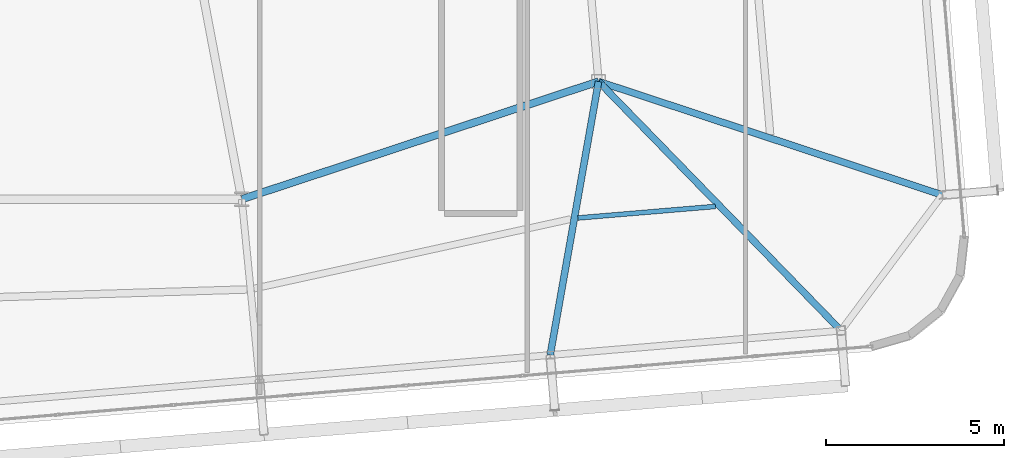
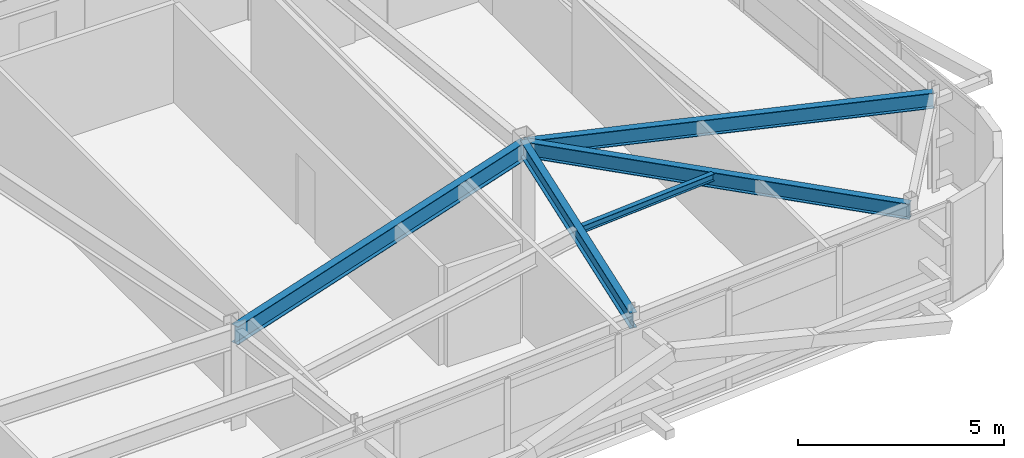
# One storey, part 21 of 46: 5 beams.
"""IFC4 building model written with IfcOpenShell, lengths in metres."""

import ifcopenshell
import ifcopenshell.guid

model = None  # the IFC model being written
_history = None  # IfcOwnerHistory: only IFC2X3 demands one
_inside = {}  # id of a spatial element -> (the spatial element, [elements in it])
_under = {}  # id of a project, library or spatial element -> (it, [spatial elements below it])
_declared = {}  # id of a project -> (the project, [libraries it declares])
_typed = {}  # id of a type object -> (the type object, [elements of that type])
_made_of = {}  # id of a material, layer set ... -> (it, [elements and type objects made of it])


def new_model(schema):
    """Start an empty IFC model of exactly this schema.

    Asked for "IFC4X3", IfcOpenShell would pick the latest addendum, in which some entities
    have other attributes; the version numbers below select the first issue.
    IFC2X3 requires an IfcOwnerHistory on every rooted entity: one is made here for all.
    """
    global model, _history
    if schema == "IFC4X3":
        model = ifcopenshell.file(schema_version=(4, 3, 0, 0))
    else:
        model = ifcopenshell.file(schema=schema)
    _inside.clear()
    _under.clear()
    _declared.clear()
    _typed.clear()
    _made_of.clear()
    _history = None
    if model.schema == "IFC2X3":
        org = make("IfcOrganization", Name="unknown")
        user = make(
            "IfcPersonAndOrganization",
            ThePerson=make("IfcPerson", FamilyName="unknown"),
            TheOrganization=org,
        )
        app = make(
            "IfcApplication",
            ApplicationDeveloper=org,
            Version="unknown",
            ApplicationFullName="unknown",
            ApplicationIdentifier="unknown",
        )
        _history = make(
            "IfcOwnerHistory",
            OwningUser=user,
            OwningApplication=app,
            ChangeAction="ADDED",
            CreationDate=0,
        )
    return model


def make(cls, **values):
    """One entity of the class cls with the attributes given. An attribute that is None is left unset."""
    return model.create_entity(
        cls, **{name: value for name, value in values.items() if value is not None}
    )


def rooted(cls, **values):
    """An entity with a GlobalId (a new one), such as an element, a storey or a relation."""
    return make(cls, GlobalId=ifcopenshell.guid.new(), OwnerHistory=_history, **values)


def si_unit(unit_type, name, prefix=None):
    """IfcSIUnit, for example si_unit("LENGTHUNIT", "METRE", prefix="MILLI")."""
    return make("IfcSIUnit", UnitType=unit_type, Prefix=prefix, Name=name)


def assignment(units):
    """IfcUnitAssignment: the units of a project."""
    return None if units is None else make("IfcUnitAssignment", Units=units)


def point(xyz):
    """IfcCartesianPoint."""
    return None if xyz is None else make("IfcCartesianPoint", Coordinates=xyz)


def direction(xyz):
    """IfcDirection."""
    return None if xyz is None else make("IfcDirection", DirectionRatios=xyz)


def frame(location, z_axis=None, x_axis=None):
    """IfcAxis2Placement3D, a coordinate frame: its origin and axes. An axis left out is left unset."""
    return make(
        "IfcAxis2Placement3D",
        Location=point(location),
        Axis=direction(z_axis),
        RefDirection=direction(x_axis),
    )


def frame_2d(location, x_axis=None):
    """IfcAxis2Placement2D, a coordinate frame in the plane: its origin and x axis."""
    return make(
        "IfcAxis2Placement2D", Location=point(location), RefDirection=direction(x_axis)
    )


def origin():
    """The frame at (0, 0, 0) with its axes left unset."""
    return frame((0.0, 0.0, 0.0))


def origin_2d():
    """The frame at (0, 0) in the plane with its x axis left unset."""
    return frame_2d((0.0, 0.0))


def place(relative_to, where):
    """IfcLocalPlacement: puts the frame where relative to a parent placement (None: the world)."""
    return make(
        "IfcLocalPlacement", PlacementRelTo=relative_to, RelativePlacement=where
    )


def context(
    kind, dimensions, precision=None, world=None, true_north=None, identifier=None
):
    """IfcGeometricRepresentationContext, for example the 3D "Model" context."""
    return make(
        "IfcGeometricRepresentationContext",
        ContextIdentifier=identifier,
        ContextType=kind,
        CoordinateSpaceDimension=dimensions,
        Precision=precision,
        WorldCoordinateSystem=world,
        TrueNorth=true_north,
    )


def subcontext(parent, identifier, kind, view, scale=None):
    """IfcGeometricRepresentationSubContext, for example "Body" below "Model"."""
    return make(
        "IfcGeometricRepresentationSubContext",
        ContextIdentifier=identifier,
        ContextType=kind,
        ParentContext=parent,
        TargetScale=scale,
        TargetView=view,
    )


def project(units=None, contexts=None):
    """IfcProject with its units and contexts."""
    return rooted(
        "IfcProject",
        Name="project",
        RepresentationContexts=contexts,
        UnitsInContext=assignment(units),
    )


def spatial(cls, under=None, at=None, **own):
    """A site, building, storey or space (cls), placed at a placement, below another one or the project."""
    s = rooted(cls, ObjectPlacement=at, **own)
    if under is not None:
        _under.setdefault(under.id(), (under, []))[1].append(s)
    return s


def profile(cls, at=None, kind="AREA", **sizes):
    """A parametric profile (cls). Its sizes go by their IFC names, for example OverallWidth=200.0."""
    return make(cls, ProfileType=kind, Position=at, **sizes)


def i_section(**sizes):
    """IfcIShapeProfileDef."""
    return profile("IfcIShapeProfileDef", **sizes)


def extrude(swept, where, along, depth):
    """IfcExtrudedAreaSolid: the profile swept, set in the frame where, extruded along a direction by depth."""
    return make(
        "IfcExtrudedAreaSolid",
        SweptArea=swept,
        Position=where,
        ExtrudedDirection=direction(along),
        Depth=depth,
    )


def shape(context_of_items, identifier, shape_type, items):
    """IfcShapeRepresentation: the items that make up one representation, for example the "Body"."""
    return make(
        "IfcShapeRepresentation",
        ContextOfItems=context_of_items,
        RepresentationIdentifier=identifier,
        RepresentationType=shape_type,
        Items=items,
    )


def source(mapping_origin, context_of_items, identifier, shape_type, items):
    """IfcRepresentationMap: a shape defined once, which mapped items show again and again."""
    return make(
        "IfcRepresentationMap",
        MappingOrigin=mapping_origin,
        MappedRepresentation=shape(context_of_items, identifier, shape_type, items),
    )


def transform(
    local_origin,
    x_axis=None,
    y_axis=None,
    z_axis=None,
    scale=None,
    scale2=None,
    scale3=None,
    uniform=True,
):
    """IfcCartesianTransformationOperator3D, or its non-uniform kind. x_axis, y_axis, z_axis: its Axis1, 2, 3."""
    if uniform:
        return make(
            "IfcCartesianTransformationOperator3D",
            Axis1=direction(x_axis),
            Axis2=direction(y_axis),
            LocalOrigin=point(local_origin),
            Scale=scale,
            Axis3=direction(z_axis),
        )
    return make(
        "IfcCartesianTransformationOperator3DnonUniform",
        Axis1=direction(x_axis),
        Axis2=direction(y_axis),
        LocalOrigin=point(local_origin),
        Scale=scale,
        Axis3=direction(z_axis),
        Scale2=scale2,
        Scale3=scale3,
    )


def mapped(mapping_source, mapping_target):
    """IfcMappedItem: shows the shape of a source again, moved by a transform."""
    return make(
        "IfcMappedItem", MappingSource=mapping_source, MappingTarget=mapping_target
    )


def material(Name=None, Category=None):
    """IfcMaterial."""
    return make("IfcMaterial", Name=Name, Category=Category)


def material_profile(
    of_material, cross_section, Name=None, Category=None, Priority=None
):
    """IfcMaterialProfile: a cross section and its material."""
    return make(
        "IfcMaterialProfile",
        Name=Name,
        Material=of_material,
        Profile=cross_section,
        Priority=Priority,
        Category=Category,
    )


def profile_set(profiles, Name=None, composite=None):
    """IfcMaterialProfileSet."""
    return make(
        "IfcMaterialProfileSet",
        Name=Name,
        MaterialProfiles=profiles,
        CompositeProfile=composite,
    )


def made_of(thing, what):
    """Note that an element or type object is made of a material, layer set ...; save() writes the relation."""
    if what is not None:
        _made_of.setdefault(what.id(), (what, []))[1].append(thing)
    return thing


def type_object(cls, material=None, **own):
    """A type object (cls), such as IfcWallType, which elements share."""
    return made_of(rooted(cls, **own), material)


def element(
    cls,
    number,
    at=None,
    inside=None,
    cuts=None,
    type_object=None,
    material=None,
    context=None,
    identifier="Body",
    shape_type=None,
    held_by="IfcProductDefinitionShape",
    body=None,
    shapes=None,
    **own,
):
    """One element of the class cls, such as IfcWall. Its Tag is "e" and its number.

    at: its placement. inside: the storey or other place that contains it. cuts: it is an
    opening in that element (IfcRelVoidsElement). A single representation is given by context,
    identifier, shape_type and body (its items); several are given by shapes. held_by: the class
    of the entity that holds the representations. save() writes the other relations.
    """
    e = rooted(cls, Tag="e%d" % number, ObjectPlacement=at, **own)
    if body is not None:
        shapes = [shape(context, identifier, shape_type, body)]
    if shapes is not None:
        e.Representation = make(held_by, Representations=shapes)
    if inside is not None:
        _inside.setdefault(inside.id(), (inside, []))[1].append(e)
    if cuts is not None:
        rooted(
            "IfcRelVoidsElement", RelatingBuildingElement=cuts, RelatedOpeningElement=e
        )
    if type_object is not None:
        _typed.setdefault(type_object.id(), (type_object, []))[1].append(e)
    return made_of(e, material)


def aggregate(whole, parts):
    """IfcRelAggregates: a whole, such as a stair, and the parts it consists of."""
    return rooted("IfcRelAggregates", RelatingObject=whole, RelatedObjects=parts)


def save(model, path):
    """Write the relations noted so far, then the file.

    IfcRelAggregates (storeys below a building ...), IfcRelContainedInSpatialStructure (elements
    in a storey), IfcRelDefinesByType, IfcRelAssociatesMaterial and IfcRelDeclares: one each for
    every whole, place, type object, material and project.
    """
    for whole, parts in _under.values():
        aggregate(whole, parts)
    for where, things in _inside.values():
        rooted(
            "IfcRelContainedInSpatialStructure",
            RelatedElements=things,
            RelatingStructure=where,
        )
    for kind, things in _typed.values():
        rooted("IfcRelDefinesByType", RelatedObjects=things, RelatingType=kind)
    for what, things in _made_of.values():
        rooted("IfcRelAssociatesMaterial", RelatedObjects=things, RelatingMaterial=what)
    for by, libraries in _declared.values():
        rooted("IfcRelDeclares", RelatingContext=by, RelatedDefinitions=libraries)
    model.write(path)


model = new_model("IFC4")

# Units and contexts
model_context = context("Model", 3, precision=1e-05, world=origin(), true_north=direction((0.0, 1.0)))
body_context = subcontext(model_context, "Body", "Model", "MODEL_VIEW")
ifc_project = project(units=[si_unit("LENGTHUNIT", "METRE"), si_unit("AREAUNIT", "SQUARE_METRE"), si_unit("VOLUMEUNIT", "CUBIC_METRE"), si_unit("PLANEANGLEUNIT", "RADIAN"), si_unit("MASSUNIT", "GRAM", prefix="KILO")], contexts=[model_context])

# Site, building, storey
site_placement = place(None, origin())
site = spatial("IfcSite", under=ifc_project, at=site_placement, CompositionType="ELEMENT")
building_placement = place(site_placement, origin())
building = spatial("IfcBuilding", under=site, at=building_placement, Name="Taldren Reach Tower", CompositionType="ELEMENT")
storey_placement = place(building_placement, frame((0.0, 0.0, 188.300048828125)))
storey = spatial("IfcBuildingStorey", under=building, at=storey_placement, Name="L57", CompositionType="ELEMENT", Elevation=188.300048828125)

# Beams
ifc_material_1 = material(Name="Steel Gr 350 (350PLUS)", Category="steel")
ifc_material_profile_1 = material_profile(ifc_material_1, i_section(OverallWidth=0.208984375, OverallDepth=0.532958984375, WebThickness=0.01025390625, FlangeThickness=0.015625, at=origin_2d()), Name="530UB92.4")
ifc_profile_set_1 = profile_set([ifc_material_profile_1], Name="Steel Gr 350 (350PLUS)")
beam_type_1 = type_object("IfcBeamType", Name="BM-UB530A", PredefinedType="BEAM", material=ifc_profile_set_1)
shared_shape_1 = source(origin(), body_context, "Body", "SweptSolid", [
    extrude(i_section(OverallWidth=0.208984375, OverallDepth=0.532958984375, WebThickness=0.01025390625, FlangeThickness=0.015625, at=origin_2d()), origin(), (0.0, 0.0, 1.0), 10.530517578125),
])
beam_1_placement = place(storey_placement, frame((42.0, 9.199951171875, 2.663330078125), z_axis=(0.949627269203, 0.313381635689, 0.0), x_axis=(-0.313381635689, 0.949627269203, 0.0)))
element("IfcBeam", 1, at=beam_1_placement, inside=storey, type_object=beam_type_1, Name="Core-spine girder L57-SP12", PredefinedType="BEAM", context=body_context, shape_type="MappedRepresentation", body=[
    mapped(shared_shape_1, transform((0.0, 0.0, 0.0), scale=1.0)),
])
ifc_material_profile_2 = material_profile(ifc_material_1, i_section(OverallWidth=0.19091796875, OverallDepth=0.4599609375, WebThickness=0.010009765625, FlangeThickness=0.01611328125, at=origin_2d()), Name="460UB82.1")
ifc_profile_set_2 = profile_set([ifc_material_profile_2], Name="Steel Gr 350 (350PLUS)")
beam_type_2 = type_object("IfcBeamType", Name="BM-UB460A", PredefinedType="BEAM", material=ifc_profile_set_2)
shared_shape_2 = source(origin(), body_context, "Body", "SweptSolid", [
    extrude(i_section(OverallWidth=0.19091796875, OverallDepth=0.4599609375, WebThickness=0.010009765625, FlangeThickness=0.01611328125, at=origin_2d()), origin(), (0.0, 0.0, 1.0), 7.786865234375),
])
beam_2_placement = place(storey_placement, frame((52.0, 12.5, 2.699951171875), z_axis=(-0.174041097858, -0.984738389755, 0.0), x_axis=(0.984738389755, -0.174041097858, 0.0)))
element("IfcBeam", 2, at=beam_2_placement, inside=storey, type_object=beam_type_2, Name="Primary floor girder B4-S5 L57", PredefinedType="BEAM", context=body_context, shape_type="MappedRepresentation", body=[
    mapped(shared_shape_2, transform((0.0, 0.0, 0.0), scale=1.0)),
])
shared_shape_3 = source(origin(), body_context, "Body", "SweptSolid", [
    extrude(i_section(OverallWidth=0.19091796875, OverallDepth=0.4599609375, WebThickness=0.010009765625, FlangeThickness=0.01611328125, at=origin_2d()), origin(), (0.0, 0.0, 1.0), 9.74462890625),
])
beam_3_placement = place(storey_placement, frame((52.0, 12.5, 2.699951171875), z_axis=(0.697420698235, -0.716661963323, 0.0), x_axis=(0.716661963323, 0.697420698235, 0.0)))
element("IfcBeam", 3, at=beam_3_placement, inside=storey, type_object=beam_type_2, Name="Primary floor girder B4-S6 L57", PredefinedType="BEAM", context=body_context, shape_type="MappedRepresentation", body=[
    mapped(shared_shape_3, transform((0.0, 0.0, 0.0), scale=1.0)),
])
shared_shape_4 = source(origin(), body_context, "Body", "SweptSolid", [
    extrude(i_section(OverallWidth=0.19091796875, OverallDepth=0.4599609375, WebThickness=0.010009765625, FlangeThickness=0.01611328125, at=origin_2d()), origin(), (0.0, 0.0, 1.0), 10.14990234375),
])
beam_4_placement = place(storey_placement, frame((52.0, 12.5, 2.699951171875), z_axis=(0.949576668396, -0.313534927619, 0.0), x_axis=(0.313534927619, 0.949576668396, 0.0)))
element("IfcBeam", 4, at=beam_4_placement, inside=storey, type_object=beam_type_2, Name="Primary floor girder B4-E1 L57", PredefinedType="BEAM", context=body_context, shape_type="MappedRepresentation", body=[
    mapped(shared_shape_4, transform((0.0, 0.0, 0.0), scale=1.0)),
])
ifc_material_2 = material(Name="Steel Gr 300 (300PLUS, 300 MPa)", Category="steel")
ifc_material_profile_3 = material_profile(ifc_material_2, i_section(OverallWidth=0.134033203125, OverallDepth=0.20703125, WebThickness=0.00634765625, FlangeThickness=0.009521484375, at=origin_2d()), Name="200UB29.8")
ifc_profile_set_3 = profile_set([ifc_material_profile_3], Name="Steel Gr 300 (300PLUS, 300 MPa)")
beam_type_3 = type_object("IfcBeamType", Name="JS-UB200", PredefinedType="JOIST", material=ifc_profile_set_3)
shared_shape_5 = source(origin(), body_context, "Body", "SweptSolid", [
    extrude(i_section(OverallWidth=0.134033203125, OverallDepth=0.20703125, WebThickness=0.00634765625, FlangeThickness=0.009521484375, at=origin_2d()), origin(), (0.0, 0.0, 1.0), 3.86767578125),
])
beam_5_placement = place(storey_placement, frame((51.4208984375, 8.67431640625, 2.826416015625), z_axis=(0.996495950743, 0.083641019557, 0.0), x_axis=(-0.083641019557, 0.996495950743, 0.0)))
element("IfcBeam", 5, at=beam_5_placement, inside=storey, type_object=beam_type_3, Name="Secondary floor joist B4 J5 L57", PredefinedType="JOIST", context=body_context, shape_type="MappedRepresentation", body=[
    mapped(shared_shape_5, transform((0.0, 0.0, 0.0), scale=1.0)),
])

save(model, "model.ifc")
